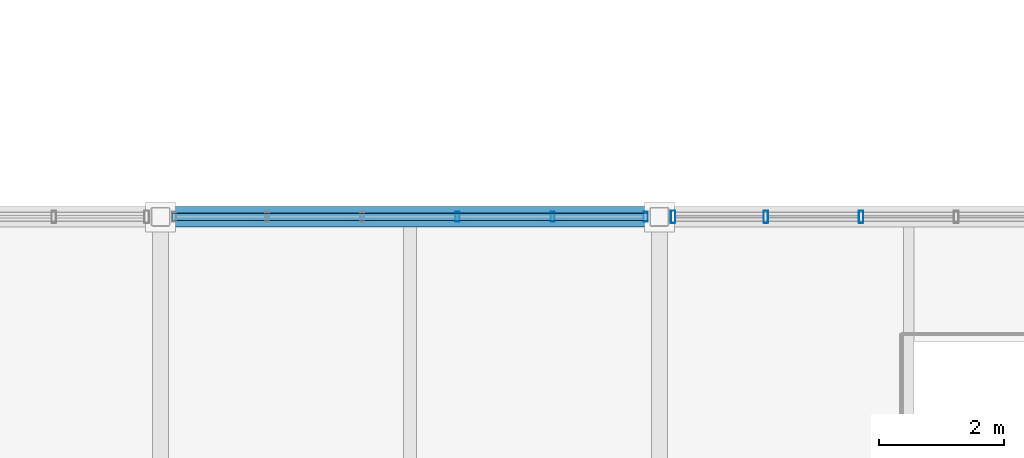
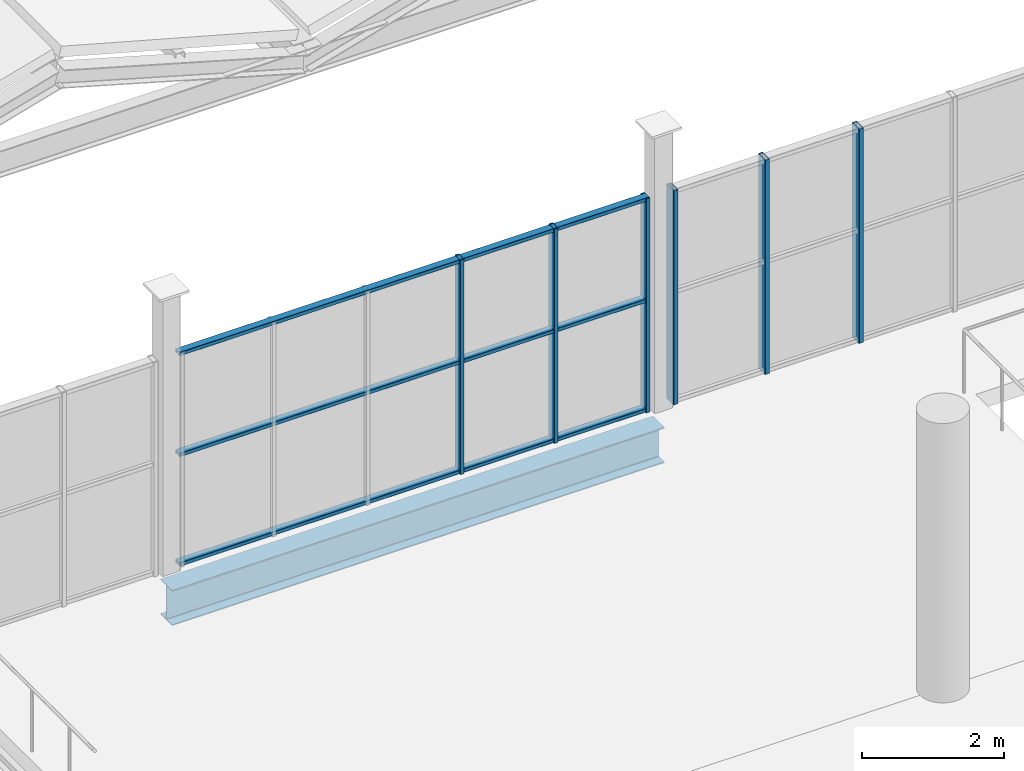
# One storey, part 42 of 114: 9 members, 1 beam, 2 elements without a shape of their own.
"""IFC4 building model written with IfcOpenShell, lengths in metres."""

from ifc_helpers import new_model, si_unit, direction, frame, origin, origin_2d, place, context, subcontext, project, spatial, hollow_rectangle, i_section, extrude, material, material_profile, profile_set, type_object, element, aggregate, save


model = new_model("IFC4")

# Units and contexts
model_context = context("Model", 3, precision=1e-05, world=origin(), true_north=direction((0.0, 1.0)))
body_context = subcontext(model_context, "Body", "Model", "MODEL_VIEW")
ifc_project = project(units=[si_unit("LENGTHUNIT", "METRE"), si_unit("AREAUNIT", "SQUARE_METRE"), si_unit("VOLUMEUNIT", "CUBIC_METRE"), si_unit("PLANEANGLEUNIT", "RADIAN"), si_unit("MASSUNIT", "GRAM", prefix="KILO")], contexts=[model_context])

# Site, building, storey
site_placement = place(None, origin())
site = spatial("IfcSite", under=ifc_project, at=site_placement, CompositionType="ELEMENT")
building_placement = place(site_placement, origin())
building = spatial("IfcBuilding", under=site, at=building_placement, Name="Verrall Gate Interchange", CompositionType="ELEMENT")
storey_placement = place(building_placement, frame((0.0, 0.0, 6.60009765625)))
storey = spatial("IfcBuildingStorey", under=building, at=storey_placement, Name="L02", CompositionType="ELEMENT", Elevation=6.60009765625)

# Beam
ifc_material_1 = material(Name="Structural Steel CSA G40.21 350WT Cat 4", Category="steel")
ifc_material_profile_1 = material_profile(ifc_material_1, i_section(OverallWidth=0.323974609375, OverallDepth=0.611083984375, WebThickness=0.0126953125, FlangeThickness=0.01904296875, FilletRadius=0.014892578125, at=origin_2d()), Name="W610x155")
ifc_profile_set_1 = profile_set([ifc_material_profile_1], Name="Structural Steel CSA G40.21 350WT Cat 4")
beam_type = type_object("IfcBeamType", Name="B-08 Structural Beam W610x155", PredefinedType="BEAM", material=ifc_profile_set_1)
beam_placement = place(storey_placement, frame((84.0, 56.0, -0.585693359375), z_axis=(1.0, 0.0, 0.0), x_axis=(0.0, 1.0, 0.0)))
element("IfcBeam", 1, at=beam_placement, inside=storey, type_object=beam_type, Name="L02 Girder BM-L02-1598 (B-08)", PredefinedType="BEAM", context=body_context, shape_type="SweptSolid", body=[
    extrude(i_section(OverallWidth=0.323974609375, OverallDepth=0.611083984375, WebThickness=0.0126953125, FlangeThickness=0.01904296875, FilletRadius=0.014892578125, at=origin_2d()), origin(), (0.0, 0.0, 1.0), 8.0),
])

# Curtain wall, members
ifc_material_2 = material(Name="Thermally Broken Anodized Aluminium Curtain Wall Framing", Category="aluminium")
curtain_wall_type = type_object("IfcCurtainWallType", Name="CW-21 Unitized Curtain Wall 7631x3680", PredefinedType="NOTDEFINED", material=ifc_material_2)
curtain_wall_1_placement = place(storey_placement, origin())
curtain_wall_1 = element("IfcCurtainWall", 2, at=curtain_wall_1_placement, inside=storey, type_object=curtain_wall_type, Name="L02 Unitized Curtain Wall CW-L02-078", PredefinedType="NOTDEFINED")
ifc_material_3 = material(Name="Thermally Broken Anodized Aluminium Curtain Wall Framing", Category="aluminium")
ifc_material_profile_2 = material_profile(ifc_material_3, hollow_rectangle(XDim=0.06494140625, YDim=0.159912109375, WallThickness=0.00390625, InnerFilletRadius=0.00390625, OuterFilletRadius=0.008056640625, at=origin_2d()), Name="CWM160x65x4")
ifc_profile_set_2 = profile_set([ifc_material_profile_2], Name="Thermally Broken Anodized Aluminium Curtain Wall Framing")
member_type_1 = type_object("IfcMemberType", Name="CM-01 Curtain Mullion CWM160x65x4", PredefinedType="MULLION", material=ifc_profile_set_2)
member_1_placement = place(storey_placement, frame((91.782958984375, 56.0, 0.0), z_axis=(0.0, 0.0, 1.0), x_axis=(-1.0, 0.0, 0.0)))
member_1 = element("IfcMember", 3, at=member_1_placement, type_object=member_type_1, Name="CW-L02-078 Mullion 1", PredefinedType="MULLION", context=body_context, shape_type="SweptSolid", body=[
    extrude(hollow_rectangle(XDim=0.06494140625, YDim=0.159912109375, WallThickness=0.00390625, InnerFilletRadius=0.00390625, OuterFilletRadius=0.008056640625, at=origin_2d()), origin(), (0.0, 0.0, 1.0), 3.679931640625),
])
member_2_placement = place(storey_placement, frame((90.289306640625, 56.0, 0.0), z_axis=(0.0, 0.0, 1.0), x_axis=(-1.0, 0.0, 0.0)))
member_2 = element("IfcMember", 4, at=member_2_placement, type_object=member_type_1, Name="CW-L02-078 Mullion 2", PredefinedType="MULLION", context=body_context, shape_type="SweptSolid", body=[
    extrude(hollow_rectangle(XDim=0.06494140625, YDim=0.159912109375, WallThickness=0.00390625, InnerFilletRadius=0.00390625, OuterFilletRadius=0.008056640625, at=origin_2d()), origin(), (0.0, 0.0, 1.0), 3.679931640625),
])
member_3_placement = place(storey_placement, frame((88.76318359375, 56.0, 0.0), z_axis=(0.0, 0.0, 1.0), x_axis=(-1.0, 0.0, 0.0)))
member_3 = element("IfcMember", 5, at=member_3_placement, type_object=member_type_1, Name="CW-L02-078 Mullion 3", PredefinedType="MULLION", context=body_context, shape_type="SweptSolid", body=[
    extrude(hollow_rectangle(XDim=0.06494140625, YDim=0.159912109375, WallThickness=0.00390625, InnerFilletRadius=0.00390625, OuterFilletRadius=0.008056640625, at=origin_2d()), origin(), (0.0, 0.0, 1.0), 3.679931640625),
])

curtain_wall_2_placement = place(storey_placement, origin())
curtain_wall_2 = element("IfcCurtainWall", 6, at=curtain_wall_2_placement, inside=storey, type_object=curtain_wall_type, Name="L02 Unitized Curtain Wall CW-L02-077", PredefinedType="NOTDEFINED")
ifc_material_4 = material(Name="Thermally Broken Anodized Aluminium Curtain Wall Framing", Category="aluminium")
ifc_material_profile_3 = material_profile(ifc_material_4, hollow_rectangle(XDim=0.074951171875, YDim=0.199951171875, WallThickness=0.0048828125, InnerFilletRadius=0.0048828125, OuterFilletRadius=0.010009765625, at=origin_2d()), Name="CWM200x75x5")
ifc_profile_set_3 = profile_set([ifc_material_profile_3], Name="Thermally Broken Anodized Aluminium Curtain Wall Framing")
member_type_2 = type_object("IfcMemberType", Name="CM-02 Curtain Mullion CWM200x75x5", PredefinedType="MULLION", material=ifc_profile_set_3)
member_4_placement = place(storey_placement, frame((95.23681640625, 56.0, 0.0), z_axis=(0.0, 0.0, 1.0), x_axis=(-1.0, 0.0, 0.0)))
member_4 = element("IfcMember", 7, at=member_4_placement, type_object=member_type_2, Name="CW-L02-077 Mullion 4", PredefinedType="MULLION", context=body_context, shape_type="SweptSolid", body=[
    extrude(hollow_rectangle(XDim=0.074951171875, YDim=0.199951171875, WallThickness=0.0048828125, InnerFilletRadius=0.0048828125, OuterFilletRadius=0.010009765625, at=origin_2d()), origin(), (0.0, 0.0, 1.0), 3.679931640625),
])
member_5_placement = place(storey_placement, frame((93.710693359375, 56.0, 0.0), z_axis=(0.0, 0.0, 1.0), x_axis=(-1.0, 0.0, 0.0)))
member_5 = element("IfcMember", 8, at=member_5_placement, type_object=member_type_2, Name="CW-L02-077 Mullion 5", PredefinedType="MULLION", context=body_context, shape_type="SweptSolid", body=[
    extrude(hollow_rectangle(XDim=0.074951171875, YDim=0.199951171875, WallThickness=0.0048828125, InnerFilletRadius=0.0048828125, OuterFilletRadius=0.010009765625, at=origin_2d()), origin(), (0.0, 0.0, 1.0), 3.679931640625),
])
member_6_placement = place(storey_placement, frame((92.221923828125, 56.0, 0.0), z_axis=(0.0, 0.0, 1.0), x_axis=(-1.0, 0.0, 0.0)))
member_6 = element("IfcMember", 9, at=member_6_placement, type_object=member_type_2, Name="CW-L02-077 Mullion 6", PredefinedType="MULLION", context=body_context, shape_type="SweptSolid", body=[
    extrude(hollow_rectangle(XDim=0.074951171875, YDim=0.199951171875, WallThickness=0.0048828125, InnerFilletRadius=0.0048828125, OuterFilletRadius=0.010009765625, at=origin_2d()), origin(), (0.0, 0.0, 1.0), 3.679931640625),
])
aggregate(curtain_wall_2, [member_4, member_5, member_6])

# Member
ifc_material_5 = material(Name="Thermally Broken Anodized Aluminium Curtain Wall Framing", Category="aluminium")
ifc_material_profile_4 = material_profile(ifc_material_5, hollow_rectangle(XDim=0.1201171875, YDim=0.06494140625, WallThickness=0.00390625, InnerFilletRadius=0.00390625, OuterFilletRadius=0.008056640625, at=origin_2d()), Name="CWT120x65x4")
ifc_profile_set_4 = profile_set([ifc_material_profile_4], Name="Thermally Broken Anodized Aluminium Curtain Wall Framing")
member_type_3 = type_object("IfcMemberType", Name="CT-01 Curtain Transom CWT120x65x4", PredefinedType="USERDEFINED", material=ifc_profile_set_4)
member_7_placement = place(storey_placement, frame((91.8154296875, 56.0, 0.032470703125), z_axis=(-1.0, 0.0, 0.0), x_axis=(0.0, -1.0, 0.0)))
member_7 = element("IfcMember", 10, at=member_7_placement, type_object=member_type_3, Name="CW-L02-078 Transom 1", ObjectType="TRANSOM", PredefinedType="USERDEFINED", context=body_context, shape_type="SweptSolid", body=[
    extrude(hollow_rectangle(XDim=0.1201171875, YDim=0.06494140625, WallThickness=0.00390625, InnerFilletRadius=0.00390625, OuterFilletRadius=0.008056640625, at=origin_2d()), origin(), (0.0, 0.0, 1.0), 7.630859375),
])

member_8_placement = place(storey_placement, frame((91.8154296875, 56.0, 1.91357421875), z_axis=(-1.0, 0.0, 0.0), x_axis=(0.0, -1.0, 0.0)))
member_8 = element("IfcMember", 11, at=member_8_placement, type_object=member_type_3, Name="CW-L02-078 Transom 2", ObjectType="TRANSOM", PredefinedType="USERDEFINED", context=body_context, shape_type="SweptSolid", body=[
    extrude(hollow_rectangle(XDim=0.1201171875, YDim=0.06494140625, WallThickness=0.00390625, InnerFilletRadius=0.00390625, OuterFilletRadius=0.008056640625, at=origin_2d()), origin(), (0.0, 0.0, 1.0), 7.630859375),
])

member_9_placement = place(storey_placement, frame((91.8154296875, 56.0, 3.6474609375), z_axis=(-1.0, 0.0, 0.0), x_axis=(0.0, -1.0, 0.0)))
member_9 = element("IfcMember", 12, at=member_9_placement, type_object=member_type_3, Name="CW-L02-078 Transom 3", ObjectType="TRANSOM", PredefinedType="USERDEFINED", context=body_context, shape_type="SweptSolid", body=[
    extrude(hollow_rectangle(XDim=0.1201171875, YDim=0.06494140625, WallThickness=0.00390625, InnerFilletRadius=0.00390625, OuterFilletRadius=0.008056640625, at=origin_2d()), origin(), (0.0, 0.0, 1.0), 7.630859375),
])

aggregate(curtain_wall_1, [member_1, member_2, member_3, member_7, member_8, member_9])

save(model, "model.ifc")
